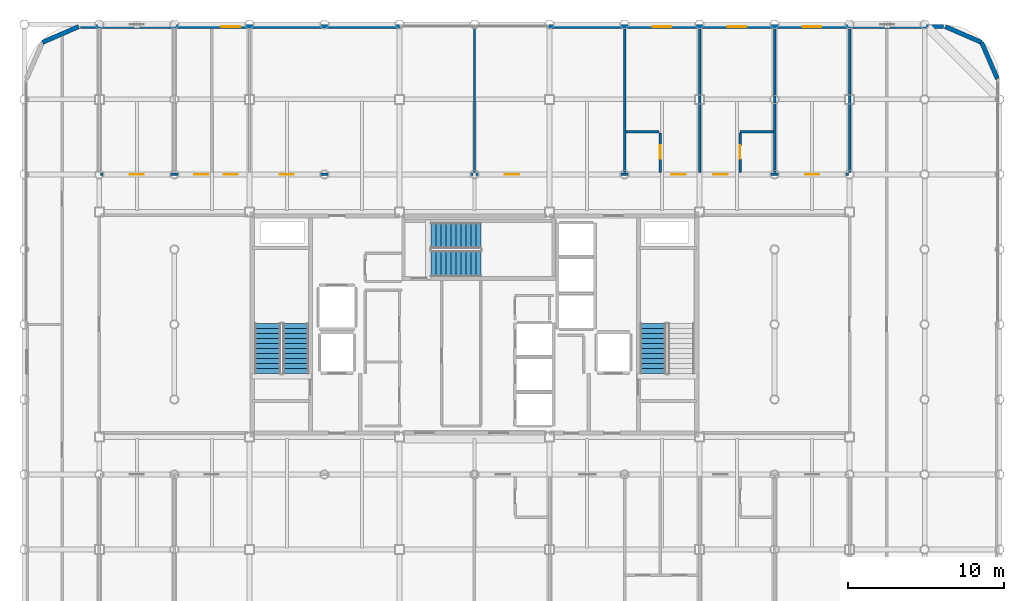
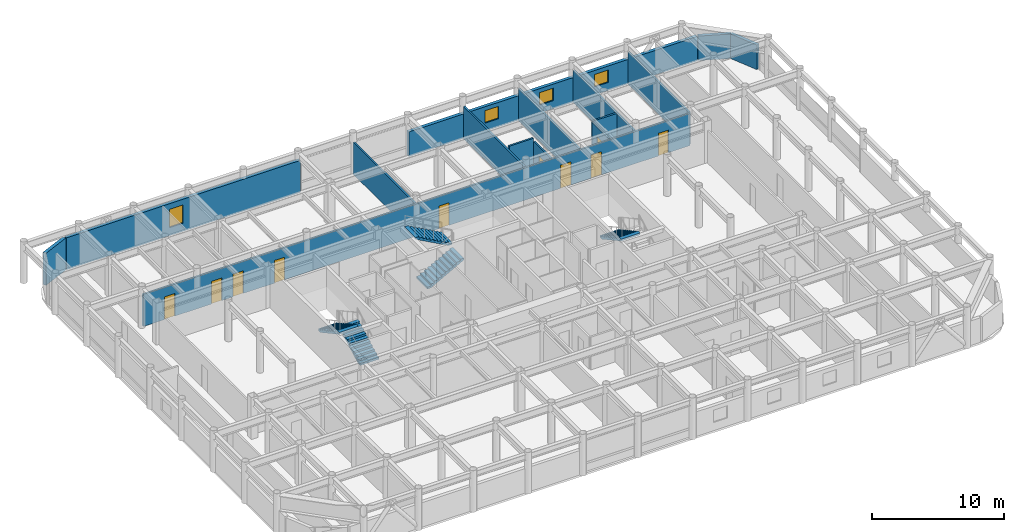
# One storey, part 20 of 22: 15 walls, 10 doors, 5 stair flights, 4 windows, 14 openings, 3 elements without a shape of their own.
"""IFC4 building model written with IfcOpenShell, lengths in metres."""

from ifc_helpers import new_model, si_unit, direction, frame, frame_2d, origin, place, context, subcontext, project, spatial, polyline, rectangle, outline, extrude, material, layer, layer_set, type_object, element, fill, aggregate, save


model = new_model("IFC4")

# Units and contexts
model_context = context("Model", 3, precision=1e-05, world=origin(), true_north=direction((0.0, 1.0)))
body_context = subcontext(model_context, "Body", "Model", "MODEL_VIEW")
ifc_project = project(units=[si_unit("LENGTHUNIT", "METRE"), si_unit("AREAUNIT", "SQUARE_METRE"), si_unit("VOLUMEUNIT", "CUBIC_METRE"), si_unit("PLANEANGLEUNIT", "RADIAN"), si_unit("MASSUNIT", "GRAM", prefix="KILO")], contexts=[model_context])

# Site, building, storey
site_placement = place(None, origin())
site = spatial("IfcSite", under=ifc_project, at=site_placement, CompositionType="ELEMENT")
building_placement = place(site_placement, origin())
building = spatial("IfcBuilding", under=site, at=building_placement, Name="Kallvorn Hotel Tower", CompositionType="ELEMENT")
storey_placement = place(building_placement, frame((0.0, 0.0, 203.050048828125)))
storey = spatial("IfcBuildingStorey", under=building, at=storey_placement, Name="L50", CompositionType="ELEMENT", Elevation=203.050048828125)

# Wall, openings, doors
ifc_material_1 = material(Name="Fire-rated double-layer acoustic gypsum drywall EI 60")
ifc_layer_1 = layer(ifc_material_1, 0.159912109375)
ifc_layer_set_1 = layer_set([ifc_layer_1], Name="WL_DEMISE_160")
wall_type_1 = type_object("IfcWallType", Name="WL_DEMISE_160", PredefinedType="PARTITIONING", material=ifc_layer_set_1)
wall_1_placement = place(storey_placement, frame((-23.919921875, 9.60009765625, 0.0), z_axis=(0.0, 0.0, 1.0), x_axis=(1.0, 0.0, 0.0)))
wall_1 = element("IfcWall", 1, at=wall_1_placement, inside=storey, type_object=wall_type_1, Name="L50 Suite 5004 Standard King Room Partition", PredefinedType="PARTITIONING", context=body_context, shape_type="SweptSolid", body=[
    extrude(rectangle(XDim=47.83984375, YDim=0.159912109375, at=frame_2d((23.919921875, 0.0))), origin(), (0.0, 0.0, 1.0), 2.969970703125),
])
opening_1_placement = place(wall_1_placement, frame((1.8701171875, 0.0, 0.0)))
opening_1 = element("IfcOpeningElement", 2, at=opening_1_placement, cuts=wall_1, Name="Opening SVD1", PredefinedType="OPENING", context=body_context, shape_type="SweptSolid", body=[
    extrude(rectangle(XDim=0.89990234375, YDim=2.10009765625, at=frame_2d((0.449951171875, 1.050048828125))), frame((0.0, 0.094970703125, 0.0), z_axis=(0.0, -1.0, 0.0), x_axis=(1.0, 0.0, 0.0)), (0.0, 0.0, 1.0), 0.18994140625),
])
opening_2_placement = place(wall_1_placement, frame((45.070068359375, 0.0, 0.0)))
opening_2 = element("IfcOpeningElement", 3, at=opening_2_placement, cuts=wall_1, Name="Opening SVD1", PredefinedType="OPENING", context=body_context, shape_type="SweptSolid", body=[
    extrude(rectangle(XDim=0.89990234375, YDim=2.10009765625, at=frame_2d((0.449951171875, 1.050048828125))), frame((0.0, 0.094970703125, 0.0), z_axis=(0.0, -1.0, 0.0), x_axis=(1.0, 0.0, 0.0)), (0.0, 0.0, 1.0), 0.18994140625),
])
opening_3_placement = place(wall_1_placement, frame((5.97998046875, 0.0, 0.0)))
opening_3 = element("IfcOpeningElement", 4, at=opening_3_placement, cuts=wall_1, Name="Opening SVD1", PredefinedType="OPENING", context=body_context, shape_type="SweptSolid", body=[
    extrude(rectangle(XDim=0.89990234375, YDim=2.10009765625, at=frame_2d((0.449951171875, 1.050048828125))), frame((0.0, 0.094970703125, 0.0), z_axis=(0.0, -1.0, 0.0), x_axis=(1.0, 0.0, 0.0)), (0.0, 0.0, 1.0), 0.18994140625),
])
opening_4_placement = place(wall_1_placement, frame((7.8701171875, 0.0, 0.0)))
opening_4 = element("IfcOpeningElement", 5, at=opening_4_placement, cuts=wall_1, Name="Opening SVD1", PredefinedType="OPENING", context=body_context, shape_type="SweptSolid", body=[
    extrude(rectangle(XDim=0.89990234375, YDim=2.10009765625, at=frame_2d((0.449951171875, 1.050048828125))), frame((0.0, 0.094970703125, 0.0), z_axis=(0.0, -1.0, 0.0), x_axis=(1.0, 0.0, 0.0)), (0.0, 0.0, 1.0), 0.18994140625),
])
opening_5_placement = place(wall_1_placement, frame((11.469970703125, 0.0, 0.0)))
opening_5 = element("IfcOpeningElement", 6, at=opening_5_placement, cuts=wall_1, Name="Opening SVD1", PredefinedType="OPENING", context=body_context, shape_type="SweptSolid", body=[
    extrude(rectangle(XDim=0.89990234375, YDim=2.10009765625, at=frame_2d((0.449951171875, 1.050048828125))), frame((0.0, 0.094970703125, 0.0), z_axis=(0.0, -1.0, 0.0), x_axis=(1.0, 0.0, 0.0)), (0.0, 0.0, 1.0), 0.18994140625),
])
opening_6_placement = place(wall_1_placement, frame((25.8701171875, 0.0, 0.0)))
opening_6 = element("IfcOpeningElement", 7, at=opening_6_placement, cuts=wall_1, Name="Opening SVD1", PredefinedType="OPENING", context=body_context, shape_type="SweptSolid", body=[
    extrude(rectangle(XDim=0.89990234375, YDim=2.10009765625, at=frame_2d((0.449951171875, 1.050048828125))), frame((0.0, 0.094970703125, 0.0), z_axis=(0.0, -1.0, 0.0), x_axis=(1.0, 0.0, 0.0)), (0.0, 0.0, 1.0), 0.18994140625),
])
opening_7_placement = place(wall_1_placement, frame((36.52490234375, 0.0, 0.0)))
opening_7 = element("IfcOpeningElement", 8, at=opening_7_placement, cuts=wall_1, Name="Opening GD1", PredefinedType="OPENING", context=body_context, shape_type="SweptSolid", body=[
    extrude(rectangle(XDim=0.919921875, YDim=2.14990234375, at=frame_2d((0.4599609375, 1.074951171875))), frame((0.0, 0.094970703125, 0.0), z_axis=(0.0, -1.0, 0.0), x_axis=(1.0, 0.0, 0.0)), (0.0, 0.0, 1.0), 0.18994140625),
])
opening_8_placement = place(wall_1_placement, frame((39.195068359375, 0.0, 0.0)))
opening_8 = element("IfcOpeningElement", 9, at=opening_8_placement, cuts=wall_1, Name="Opening GD1", PredefinedType="OPENING", context=body_context, shape_type="SweptSolid", body=[
    extrude(rectangle(XDim=0.919921875, YDim=2.14990234375, at=frame_2d((0.4599609375, 1.074951171875))), frame((0.0, 0.094970703125, 0.0), z_axis=(0.0, -1.0, 0.0), x_axis=(1.0, 0.0, 0.0)), (0.0, 0.0, 1.0), 0.18994140625),
])
ifc_material_2 = material(Name="Solid-core walnut veneer fire-rated timber door leaf", Category="wood")
door_type_1 = type_object("IfcDoorType", Name="DR_GUEST_920x2150", OperationType="NOTDEFINED", PredefinedType="DOOR", material=ifc_material_2)
door_1_placement = place(opening_7_placement, origin())
door_1 = element("IfcDoor", 10, at=door_1_placement, inside=storey, type_object=door_type_1, Name="L50 Suite 5004 Standard King Room Door", OperationType="SINGLE_SWING_RIGHT", OverallHeight=2.14990234375, OverallWidth=0.919921875, PredefinedType="DOOR", context=body_context, shape_type="SweptSolid", body=[
    extrude(rectangle(XDim=0.919921875, YDim=2.14990234375, at=frame_2d((0.4599609375, 1.074951171875))), frame((0.0, 0.02490234375, 0.0), z_axis=(0.0, -1.0, 0.0), x_axis=(1.0, 0.0, 0.0)), (0.0, 0.0, 1.0), 0.050048828125),
])
fill(opening_7, door_1)
door_2_placement = place(opening_8_placement, origin())
door_2 = element("IfcDoor", 11, at=door_2_placement, inside=storey, type_object=door_type_1, Name="L50 Suite 5005 Standard King Room Door", OperationType="SINGLE_SWING_RIGHT", OverallHeight=2.14990234375, OverallWidth=0.919921875, PredefinedType="DOOR", context=body_context, shape_type="SweptSolid", body=[
    extrude(rectangle(XDim=0.919921875, YDim=2.14990234375, at=frame_2d((0.4599609375, 1.074951171875))), frame((0.0, 0.02490234375, 0.0), z_axis=(0.0, -1.0, 0.0), x_axis=(1.0, 0.0, 0.0)), (0.0, 0.0, 1.0), 0.050048828125),
])
fill(opening_8, door_2)
ifc_material_3 = material(Name="Galvanised painted steel fire-rated door assembly", Category="steel")
door_type_2 = type_object("IfcDoorType", Name="DR_SERV_900x2100", OperationType="NOTDEFINED", PredefinedType="DOOR", material=ifc_material_3)
door_3_placement = place(opening_1_placement, origin())
door_3 = element("IfcDoor", 12, at=door_3_placement, inside=storey, type_object=door_type_2, Name="L50 L50 High-Zone North-West Reading Salon Door", OperationType="SINGLE_SWING_RIGHT", OverallHeight=2.10009765625, OverallWidth=0.89990234375, PredefinedType="DOOR", context=body_context, shape_type="SweptSolid", body=[
    extrude(rectangle(XDim=0.89990234375, YDim=2.10009765625, at=frame_2d((0.449951171875, 1.050048828125))), frame((0.0, 0.02490234375, 0.0), z_axis=(0.0, -1.0, 0.0), x_axis=(1.0, 0.0, 0.0)), (0.0, 0.0, 1.0), 0.050048828125),
])
fill(opening_1, door_3)
door_4_placement = place(opening_2_placement, origin())
door_4 = element("IfcDoor", 13, at=door_4_placement, inside=storey, type_object=door_type_2, Name="L50 L50 High-Zone North-East Pastry Bar Door", OperationType="SINGLE_SWING_LEFT", OverallHeight=2.10009765625, OverallWidth=0.89990234375, PredefinedType="DOOR", context=body_context, shape_type="SweptSolid", body=[
    extrude(rectangle(XDim=0.89990234375, YDim=2.10009765625, at=frame_2d((0.449951171875, 1.050048828125))), frame((0.0, 0.02490234375, 0.0), z_axis=(0.0, -1.0, 0.0), x_axis=(1.0, 0.0, 0.0)), (0.0, 0.0, 1.0), 0.050048828125),
])
fill(opening_2, door_4)
door_5_placement = place(opening_3_placement, origin())
door_5 = element("IfcDoor", 14, at=door_5_placement, inside=storey, type_object=door_type_2, Name="L50 Housekeeping and Linen Room Door", OperationType="SINGLE_SWING_RIGHT", OverallHeight=2.10009765625, OverallWidth=0.89990234375, PredefinedType="DOOR", context=body_context, shape_type="SweptSolid", body=[
    extrude(rectangle(XDim=0.89990234375, YDim=2.10009765625, at=frame_2d((0.449951171875, 1.050048828125))), frame((0.0, 0.02490234375, 0.0), z_axis=(0.0, -1.0, 0.0), x_axis=(1.0, 0.0, 0.0)), (0.0, 0.0, 1.0), 0.050048828125),
])
fill(opening_3, door_5)
door_6_placement = place(opening_4_placement, origin())
door_6 = element("IfcDoor", 15, at=door_6_placement, inside=storey, type_object=door_type_2, Name="L50 Guest Tea and Refreshment Bar Door", OperationType="SINGLE_SWING_LEFT", OverallHeight=2.10009765625, OverallWidth=0.89990234375, PredefinedType="DOOR", context=body_context, shape_type="SweptSolid", body=[
    extrude(rectangle(XDim=0.89990234375, YDim=2.10009765625, at=frame_2d((0.449951171875, 1.050048828125))), frame((0.0, 0.02490234375, 0.0), z_axis=(0.0, -1.0, 0.0), x_axis=(1.0, 0.0, 0.0)), (0.0, 0.0, 1.0), 0.050048828125),
])
fill(opening_4, door_6)
door_7_placement = place(opening_5_placement, origin())
door_7 = element("IfcDoor", 16, at=door_7_placement, inside=storey, type_object=door_type_2, Name="L50 L50 Andean Tasting Sky Restaurant 2 Door", OperationType="SINGLE_SWING_LEFT", OverallHeight=2.10009765625, OverallWidth=0.89990234375, PredefinedType="DOOR", context=body_context, shape_type="SweptSolid", body=[
    extrude(rectangle(XDim=0.89990234375, YDim=2.10009765625, at=frame_2d((0.449951171875, 1.050048828125))), frame((0.0, 0.02490234375, 0.0), z_axis=(0.0, -1.0, 0.0), x_axis=(1.0, 0.0, 0.0)), (0.0, 0.0, 1.0), 0.050048828125),
])
fill(opening_5, door_7)
door_8_placement = place(opening_6_placement, origin())
door_8 = element("IfcDoor", 17, at=door_8_placement, inside=storey, type_object=door_type_2, Name="L50 L50 Curated Emerald Craft Retail Boutique 3 Door", OperationType="SINGLE_SWING_RIGHT", OverallHeight=2.10009765625, OverallWidth=0.89990234375, PredefinedType="DOOR", context=body_context, shape_type="SweptSolid", body=[
    extrude(rectangle(XDim=0.89990234375, YDim=2.10009765625, at=frame_2d((0.449951171875, 1.050048828125))), frame((0.0, 0.02490234375, 0.0), z_axis=(0.0, -1.0, 0.0), x_axis=(1.0, 0.0, 0.0)), (0.0, 0.0, 1.0), 0.050048828125),
])
fill(opening_6, door_8)

# Walls
wall_2_placement = place(storey_placement, frame((9.679931640625, 12.320068359375, 0.0), z_axis=(0.0, 0.0, 1.0), x_axis=(1.0, 0.0, 0.0)))
element("IfcWall", 18, at=wall_2_placement, inside=storey, type_object=wall_type_1, Name="L50 Suite 5004 Standard King Room Partition", PredefinedType="PARTITIONING", context=body_context, shape_type="SweptSolid", body=[
    extrude(rectangle(XDim=2.130126953125, YDim=0.159912109375, at=frame_2d((1.06494140625, 0.0))), origin(), (0.0, 0.0, 1.0), 3.27001953125),
])
wall_3_placement = place(storey_placement, frame((16.989990234375, 12.320068359375, 0.0), z_axis=(0.0, 0.0, 1.0), x_axis=(1.0, 0.0, 0.0)))
element("IfcWall", 19, at=wall_3_placement, inside=storey, type_object=wall_type_1, Name="L50 Suite 5005 Standard King Room Partition", PredefinedType="PARTITIONING", context=body_context, shape_type="SweptSolid", body=[
    extrude(rectangle(XDim=2.130126953125, YDim=0.159912109375, at=frame_2d((1.06494140625, 0.0))), origin(), (0.0, 0.0, 1.0), 3.02001953125),
])
wall_4_placement = place(storey_placement, frame((9.60009765625, 9.719970703125, 0.0), z_axis=(0.0, 0.0, 1.0), x_axis=(0.0, 1.0, 0.0)))
element("IfcWall", 20, at=wall_4_placement, inside=storey, type_object=wall_type_1, Name="L50 Suite 5004 Standard King Room Partition", PredefinedType="PARTITIONING", context=body_context, shape_type="SweptSolid", body=[
    extrude(rectangle(XDim=9.18994140625, YDim=0.159912109375, at=frame_2d((4.594970703125, 0.0))), origin(), (0.0, 0.0, 1.0), 2.969970703125),
])

# Wall, opening, door
wall_5_placement = place(storey_placement, frame((11.885009765625, 9.719970703125, 0.0), z_axis=(0.0, 0.0, 1.0), x_axis=(0.0, 1.0, 0.0)))
wall_5 = element("IfcWall", 21, at=wall_5_placement, inside=storey, type_object=wall_type_1, Name="L50 Suite 5004 Standard King Room Partition", PredefinedType="PARTITIONING", context=body_context, shape_type="SweptSolid", body=[
    extrude(rectangle(XDim=2.51513671875, YDim=0.159912109375, at=frame_2d((1.257568359375, 0.0))), origin(), (0.0, 0.0, 1.0), 2.969970703125),
])
opening_9_placement = place(wall_5_placement, frame((0.8701171875, 0.0, 0.0)))
opening_9 = element("IfcOpeningElement", 22, at=opening_9_placement, cuts=wall_5, Name="Opening BD-I", PredefinedType="OPENING", context=body_context, shape_type="SweptSolid", body=[
    extrude(rectangle(XDim=0.860107421875, YDim=2.10009765625, at=frame_2d((0.43017578125, 1.050048828125))), frame((0.0, 0.094970703125, 0.0), z_axis=(0.0, -1.0, 0.0), x_axis=(1.0, 0.0, 0.0)), (0.0, 0.0, 1.0), 0.18994140625),
])
ifc_material_4 = material(Name="Solid-core walnut veneer fire-rated timber door leaf", Category="wood")
door_type_3 = type_object("IfcDoorType", Name="DR_BATH_860x2100", OperationType="NOTDEFINED", PredefinedType="DOOR", material=ifc_material_4)
door_9_placement = place(opening_9_placement, origin())
door_9 = element("IfcDoor", 23, at=door_9_placement, inside=storey, type_object=door_type_3, Name="L50 Suite 5004 En-Suite Bathroom Door", OperationType="SINGLE_SWING_RIGHT", OverallHeight=2.10009765625, OverallWidth=0.860107421875, PredefinedType="DOOR", context=body_context, shape_type="SweptSolid", body=[
    extrude(rectangle(XDim=0.860107421875, YDim=2.10009765625, at=frame_2d((0.43017578125, 1.050048828125))), frame((0.0, 0.02490234375, 0.0), z_axis=(0.0, -1.0, 0.0), x_axis=(1.0, 0.0, 0.0)), (0.0, 0.0, 1.0), 0.050048828125),
])
fill(opening_9, door_9)

# Wall
wall_6_placement = place(storey_placement, frame((14.39990234375, 9.719970703125, 0.0), z_axis=(0.0, 0.0, 1.0), x_axis=(0.0, 1.0, 0.0)))
element("IfcWall", 24, at=wall_6_placement, inside=storey, type_object=wall_type_1, Name="L50 Suite 5004 Standard King Room Partition", PredefinedType="PARTITIONING", context=body_context, shape_type="SweptSolid", body=[
    extrude(rectangle(XDim=9.18994140625, YDim=0.159912109375, at=frame_2d((4.594970703125, 0.0))), origin(), (0.0, 0.0, 1.0), 2.969970703125),
])

# Wall, opening, door
wall_7_placement = place(storey_placement, frame((16.989990234375, 9.719970703125, 0.0), z_axis=(0.0, 0.0, 1.0), x_axis=(0.0, 1.0, 0.0)))
wall_7 = element("IfcWall", 25, at=wall_7_placement, inside=storey, type_object=wall_type_1, Name="L50 Suite 5005 Standard King Room Partition", PredefinedType="PARTITIONING", context=body_context, shape_type="SweptSolid", body=[
    extrude(rectangle(XDim=2.51513671875, YDim=0.159912109375, at=frame_2d((1.257568359375, 0.0))), origin(), (0.0, 0.0, 1.0), 2.969970703125),
])
opening_10_placement = place(wall_7_placement, frame((0.8701171875, 0.0, 0.0)))
opening_10 = element("IfcOpeningElement", 26, at=opening_10_placement, cuts=wall_7, Name="Opening BD-I", PredefinedType="OPENING", context=body_context, shape_type="SweptSolid", body=[
    extrude(rectangle(XDim=0.860107421875, YDim=2.10009765625, at=frame_2d((0.43017578125, 1.050048828125))), frame((0.0, 0.094970703125, 0.0), z_axis=(0.0, -1.0, 0.0), x_axis=(1.0, 0.0, 0.0)), (0.0, 0.0, 1.0), 0.18994140625),
])
door_10_placement = place(opening_10_placement, origin())
door_10 = element("IfcDoor", 27, at=door_10_placement, inside=storey, type_object=door_type_3, Name="L50 Suite 5005 En-Suite Bathroom Door", OperationType="SINGLE_SWING_RIGHT", OverallHeight=2.10009765625, OverallWidth=0.860107421875, PredefinedType="DOOR", context=body_context, shape_type="SweptSolid", body=[
    extrude(rectangle(XDim=0.860107421875, YDim=2.10009765625, at=frame_2d((0.43017578125, 1.050048828125))), frame((0.0, 0.02490234375, 0.0), z_axis=(0.0, -1.0, 0.0), x_axis=(1.0, 0.0, 0.0)), (0.0, 0.0, 1.0), 0.050048828125),
])
fill(opening_10, door_10)

# Walls
wall_8_placement = place(storey_placement, frame((19.199951171875, 9.719970703125, 0.0), z_axis=(0.0, 0.0, 1.0), x_axis=(0.0, 1.0, 0.0)))
element("IfcWall", 28, at=wall_8_placement, inside=storey, type_object=wall_type_1, Name="L50 Suite 5005 Standard King Room Partition", PredefinedType="PARTITIONING", context=body_context, shape_type="SweptSolid", body=[
    extrude(rectangle(XDim=9.18994140625, YDim=0.159912109375, at=frame_2d((4.594970703125, 0.0))), origin(), (0.0, 0.0, 1.0), 2.969970703125),
])
ifc_material_5 = material(Name="Precast basalt-clad insulated concrete wall C40/50", Category="masonry")
ifc_layer_2 = layer(ifc_material_5, 0.280029296875)
ifc_layer_set_2 = layer_set([ifc_layer_2], Name="WL_EXT_LOGGIA_280")
wall_type_2 = type_object("IfcWallType", Name="WL_EXT_LOGGIA_280", PredefinedType="SOLIDWALL", material=ifc_layer_set_2)
wall_9_placement = place(storey_placement, frame((33.4580078125, 15.720703125, 0.0), z_axis=(0.0, 0.0, 1.0), x_axis=(-0.398792985289, 0.917040977756, 0.0)))
element("IfcWall", 29, at=wall_9_placement, inside=storey, type_object=wall_type_2, Name="L50 Rounded Corner Exterior Wall NE1", PredefinedType="SOLIDWALL", context=body_context, shape_type="SweptSolid", body=[
    extrude(rectangle(XDim=2.536376953125, YDim=0.280029296875, at=frame_2d((1.26806640625, 0.0))), origin(), (0.0, 0.0, 1.0), 2.27001953125),
])
wall_10_placement = place(storey_placement, frame((32.446533203125, 18.046630859375, 0.0), z_axis=(0.0, 0.0, 1.0), x_axis=(-0.917060872934, 0.398747232384, 0.0)))
element("IfcWall", 30, at=wall_10_placement, inside=storey, type_object=wall_type_2, Name="L50 Rounded Corner Exterior Wall NE2", PredefinedType="SOLIDWALL", context=body_context, shape_type="SweptSolid", body=[
    extrude(rectangle(XDim=2.5361328125, YDim=0.280029296875, at=frame_2d((1.26806640625, 0.0))), origin(), (0.0, 0.0, 1.0), 2.27001953125),
])
wall_11_placement = place(storey_placement, frame((-25.32080078125, 19.057861328125, 0.0), z_axis=(0.0, 0.0, 1.0), x_axis=(-0.917060872934, -0.398747232384, 0.0)))
element("IfcWall", 31, at=wall_11_placement, inside=storey, type_object=wall_type_2, Name="L50 Rounded Corner Exterior Wall NW1", PredefinedType="SOLIDWALL", context=body_context, shape_type="SweptSolid", body=[
    extrude(rectangle(XDim=2.5361328125, YDim=0.280029296875, at=frame_2d((1.26806640625, 0.0))), origin(), (0.0, 0.0, 1.0), 2.969970703125),
])

# Wall, opening, window
wall_12_placement = place(storey_placement, frame((-25.199951171875, 19.06005859375, 0.0), z_axis=(0.0, 0.0, 1.0), x_axis=(1.0, 0.0, 0.0)))
wall_12 = element("IfcWall", 32, at=wall_12_placement, inside=storey, type_object=wall_type_2, Name="L50 Exterior Envelope Wall EW-L50-NW", PredefinedType="SOLIDWALL", context=body_context, shape_type="SweptSolid", body=[
    extrude(rectangle(XDim=20.449951171875, YDim=0.280029296875, at=frame_2d((10.22509765625, 0.0))), origin(), (0.0, 0.0, 1.0), 2.969970703125),
])
opening_11_placement = place(wall_12_placement, frame((9.0, 0.0, 0.75)))
opening_11 = element("IfcOpeningElement", 33, at=opening_11_placement, cuts=wall_12, Name="Opening W06", PredefinedType="OPENING", context=body_context, shape_type="SweptSolid", body=[
    extrude(rectangle(XDim=1.199951171875, YDim=1.699951171875, at=frame_2d((0.60009765625, 0.85009765625))), frame((0.0, 0.155029296875, 0.0), z_axis=(0.0, -1.0, 0.0), x_axis=(1.0, 0.0, 0.0)), (0.0, 0.0, 1.0), 0.31005859375),
])
ifc_material_6 = material(Name="Triple-glazed low-e acoustic solar-control dark glass", Category="glass")
window_type_1 = type_object("IfcWindowType", Name="WN_HTL_1200x1700", PartitioningType="SINGLE_PANEL", PredefinedType="WINDOW", material=ifc_material_6)
window_1_placement = place(opening_11_placement, origin())
window_1 = element("IfcWindow", 34, at=window_1_placement, inside=storey, type_object=window_type_1, Name="L50 Guestroom Exterior Window 07", OverallHeight=1.699951171875, OverallWidth=1.199951171875, PartitioningType="SINGLE_PANEL", PredefinedType="WINDOW", context=body_context, shape_type="SweptSolid", body=[
    extrude(rectangle(XDim=1.199951171875, YDim=1.699951171875, at=frame_2d((0.60009765625, 0.85009765625))), frame((0.0, 0.030029296875, 0.0), z_axis=(0.0, -1.0, 0.0), x_axis=(1.0, 0.0, 0.0)), (0.0, 0.0, 1.0), 0.06005859375),
])
fill(opening_11, window_1)

# Wall, openings, windows
wall_13_placement = place(storey_placement, frame((4.75, 19.06005859375, 0.0), z_axis=(0.0, 0.0, 1.0), x_axis=(1.0, 0.0, 0.0)))
wall_13 = element("IfcWall", 35, at=wall_13_placement, inside=storey, type_object=wall_type_2, Name="L50 Exterior Envelope Wall EW-L50-NE", PredefinedType="SOLIDWALL", context=body_context, shape_type="SweptSolid", body=[
    extrude(rectangle(XDim=25.25, YDim=0.280029296875, at=frame_2d((12.625, 0.0))), origin(), (0.0, 0.0, 1.0), 2.27001953125),
])
opening_12_placement = place(wall_13_placement, frame((16.25, 0.0, 0.75)))
opening_12 = element("IfcOpeningElement", 36, at=opening_12_placement, cuts=wall_13, Name="Opening W06A", PredefinedType="OPENING", context=body_context, shape_type="SweptSolid", body=[
    extrude(rectangle(XDim=1.199951171875, YDim=1.14990234375, at=frame_2d((0.60009765625, 0.574951171875))), frame((0.0, 0.155029296875, 0.0), z_axis=(0.0, -1.0, 0.0), x_axis=(1.0, 0.0, 0.0)), (0.0, 0.0, 1.0), 0.31005859375),
])
opening_13_placement = place(wall_13_placement, frame((6.64990234375, 0.0, 0.75)))
opening_13 = element("IfcOpeningElement", 37, at=opening_13_placement, cuts=wall_13, Name="Opening W06A", PredefinedType="OPENING", context=body_context, shape_type="SweptSolid", body=[
    extrude(rectangle(XDim=1.199951171875, YDim=1.14990234375, at=frame_2d((0.60009765625, 0.574951171875))), frame((0.0, 0.155029296875, 0.0), z_axis=(0.0, -1.0, 0.0), x_axis=(1.0, 0.0, 0.0)), (0.0, 0.0, 1.0), 0.31005859375),
])
opening_14_placement = place(wall_13_placement, frame((11.449951171875, 0.0, 0.75)))
opening_14 = element("IfcOpeningElement", 38, at=opening_14_placement, cuts=wall_13, Name="Opening W06A", PredefinedType="OPENING", context=body_context, shape_type="SweptSolid", body=[
    extrude(rectangle(XDim=1.199951171875, YDim=1.14990234375, at=frame_2d((0.60009765625, 0.574951171875))), frame((0.0, 0.155029296875, 0.0), z_axis=(0.0, -1.0, 0.0), x_axis=(1.0, 0.0, 0.0)), (0.0, 0.0, 1.0), 0.31005859375),
])
ifc_material_7 = material(Name="Triple-glazed low-e acoustic solar-control dark glass", Category="glass")
window_type_2 = type_object("IfcWindowType", Name="WN_HTL_1200x1150", PartitioningType="SINGLE_PANEL", PredefinedType="WINDOW", material=ifc_material_7)
window_2_placement = place(opening_12_placement, origin())
window_2 = element("IfcWindow", 39, at=window_2_placement, inside=storey, type_object=window_type_2, Name="L50 Guestroom Exterior Window 02", OverallHeight=1.14990234375, OverallWidth=1.199951171875, PartitioningType="SINGLE_PANEL", PredefinedType="WINDOW", context=body_context, shape_type="SweptSolid", body=[
    extrude(rectangle(XDim=1.199951171875, YDim=1.14990234375, at=frame_2d((0.60009765625, 0.574951171875))), frame((0.0, 0.030029296875, 0.0), z_axis=(0.0, -1.0, 0.0), x_axis=(1.0, 0.0, 0.0)), (0.0, 0.0, 1.0), 0.06005859375),
])
fill(opening_12, window_2)
window_3_placement = place(opening_13_placement, origin())
window_3 = element("IfcWindow", 40, at=window_3_placement, inside=storey, type_object=window_type_2, Name="L50 Guestroom Exterior Window 08", OverallHeight=1.14990234375, OverallWidth=1.199951171875, PartitioningType="SINGLE_PANEL", PredefinedType="WINDOW", context=body_context, shape_type="SweptSolid", body=[
    extrude(rectangle(XDim=1.199951171875, YDim=1.14990234375, at=frame_2d((0.60009765625, 0.574951171875))), frame((0.0, 0.030029296875, 0.0), z_axis=(0.0, -1.0, 0.0), x_axis=(1.0, 0.0, 0.0)), (0.0, 0.0, 1.0), 0.06005859375),
])
fill(opening_13, window_3)
window_4_placement = place(opening_14_placement, origin())
window_4 = element("IfcWindow", 41, at=window_4_placement, inside=storey, type_object=window_type_2, Name="L50 Guestroom Exterior Window 09", OverallHeight=1.14990234375, OverallWidth=1.199951171875, PartitioningType="SINGLE_PANEL", PredefinedType="WINDOW", context=body_context, shape_type="SweptSolid", body=[
    extrude(rectangle(XDim=1.199951171875, YDim=1.14990234375, at=frame_2d((0.60009765625, 0.574951171875))), frame((0.0, 0.030029296875, 0.0), z_axis=(0.0, -1.0, 0.0), x_axis=(1.0, 0.0, 0.0)), (0.0, 0.0, 1.0), 0.06005859375),
])
fill(opening_14, window_4)

# Walls
ifc_material_8 = material(Name="Fire-rated double-layer acoustic gypsum drywall EI 60")
ifc_layer_3 = layer(ifc_material_8, 0.14990234375)
ifc_layer_set_3 = layer_set([ifc_layer_3], Name="WL_PART_150")
wall_type_3 = type_object("IfcWallType", Name="WL_PART_150", PredefinedType="PARTITIONING", material=ifc_layer_set_3)
wall_14_placement = place(storey_placement, frame((0.0, 9.719970703125, 0.0), z_axis=(0.0, 0.0, 1.0), x_axis=(0.0, 1.0, 0.0)))
element("IfcWall", 42, at=wall_14_placement, inside=storey, type_object=wall_type_3, Name="L50 L50 Andean Tasting Sky Restaurant 2 Partition", PredefinedType="PARTITIONING", context=body_context, shape_type="SweptSolid", body=[
    extrude(rectangle(XDim=9.275146484375, YDim=0.14990234375, at=frame_2d((4.6376953125, 0.0))), origin(), (0.0, 0.0, 1.0), 2.969970703125),
])
wall_15_placement = place(storey_placement, frame((24.0, 9.719970703125, 0.0), z_axis=(0.0, 0.0, 1.0), x_axis=(0.0, 1.0, 0.0)))
element("IfcWall", 43, at=wall_15_placement, inside=storey, type_object=wall_type_3, Name="L50 L50 High-Zone North-East Pastry Bar Partition", PredefinedType="PARTITIONING", context=body_context, shape_type="SweptSolid", body=[
    extrude(rectangle(XDim=9.18994140625, YDim=0.14990234375, at=frame_2d((4.594970703125, 0.0))), origin(), (0.0, 0.0, 1.0), 2.969970703125),
])

# Stair, stair flights
ifc_material_9 = material(Name="Precast concrete C40/50", Category="concrete")
stair_type = type_object("IfcStairType", Name="STR_CORE_DOGLEG", PredefinedType="HALF_TURN_STAIR", material=ifc_material_9)
stair_1_placement = place(storey_placement, origin())
stair_1 = element("IfcStair", 44, at=stair_1_placement, inside=storey, type_object=stair_type, Name="L50 Exit stair ST1", PredefinedType="HALF_TURN_STAIR")
ifc_material_10 = material(Name="Precast concrete C40/50", Category="concrete")
stair_flight_type = type_object("IfcStairFlightType", Name="FLT_CORE_1660", PredefinedType="STRAIGHT", material=ifc_material_10)
stair_flight_1_placement = place(storey_placement, frame((-11.429931640625, -3.139892578125, 0.0), z_axis=(0.0, 0.0, 1.0), x_axis=(0.0, 1.0, 0.0)))
stair_flight_1 = element("IfcStairFlight", 45, at=stair_flight_1_placement, type_object=stair_flight_type, Name="ST1 flight 1", NumberOfRisers=11, NumberOfTreads=10, PredefinedType="STRAIGHT", RiserHeight=0.175, TreadLength=0.32, context=body_context, shape_type="SweptSolid", body=[
    extrude(outline(polyline([(0.0, 0.0), (0.0, 0.175048828125), (0.320068359375, 0.175048828125), (0.320068359375, 0.35009765625), (0.639892578125, 0.35009765625), (0.639892578125, 0.52490234375), (0.9599609375, 0.52490234375), (0.9599609375, 0.699951171875), (1.280029296875, 0.699951171875), (1.280029296875, 0.875), (1.60009765625, 0.875), (1.60009765625, 1.050048828125), (1.919921875, 1.050048828125), (1.919921875, 1.22509765625), (2.239990234375, 1.22509765625), (2.239990234375, 1.39990234375), (2.56005859375, 1.39990234375), (2.56005859375, 1.574951171875), (2.8798828125, 1.574951171875), (2.8798828125, 1.75), (3.199951171875, 1.75), (3.199951171875, 1.925048828125), (3.199951171875, 1.5791015625), (0.3125, 0.0), (0.0, 0.0)])), frame((0.0, 0.830078125, 0.0), z_axis=(0.0, -1.0, 0.0), x_axis=(1.0, 0.0, 0.0)), (0.0, 0.0, 1.0), 1.659912109375),
])
stair_flight_2_placement = place(storey_placement, frame((-13.22998046875, 0.06005859375, 1.925048828125), z_axis=(0.0, 0.0, 1.0), x_axis=(0.0, -1.0, 0.0)))
stair_flight_2 = element("IfcStairFlight", 46, at=stair_flight_2_placement, type_object=stair_flight_type, Name="ST1 flight 2", NumberOfRisers=11, NumberOfTreads=10, PredefinedType="STRAIGHT", RiserHeight=0.175, TreadLength=0.32, context=body_context, shape_type="SweptSolid", body=[
    extrude(outline(polyline([(0.0, 0.0), (0.0, 0.175048828125), (0.320068359375, 0.175048828125), (0.320068359375, 0.35009765625), (0.639892578125, 0.35009765625), (0.639892578125, 0.52490234375), (0.9599609375, 0.52490234375), (0.9599609375, 0.699951171875), (1.280029296875, 0.699951171875), (1.280029296875, 0.875), (1.60009765625, 0.875), (1.60009765625, 1.050048828125), (1.919921875, 1.050048828125), (1.919921875, 1.22509765625), (2.239990234375, 1.22509765625), (2.239990234375, 1.39990234375), (2.56005859375, 1.39990234375), (2.56005859375, 1.574951171875), (2.8798828125, 1.574951171875), (2.8798828125, 1.75), (3.199951171875, 1.75), (3.199951171875, 1.925048828125), (3.199951171875, 1.5791015625), (0.3125, 0.0), (0.0, 0.0)])), frame((0.0, 0.830078125, 0.0), z_axis=(0.0, -1.0, 0.0), x_axis=(1.0, 0.0, 0.0)), (0.0, 0.0, 1.0), 1.659912109375),
])
aggregate(stair_1, [stair_flight_1, stair_flight_2])

# Stair, stair flight
stair_2_placement = place(storey_placement, origin())
stair_2 = element("IfcStair", 47, at=stair_2_placement, inside=storey, type_object=stair_type, Name="L50 Exit stair ST2", PredefinedType="HALF_TURN_STAIR")
stair_flight_3_placement = place(storey_placement, frame((11.429931640625, 0.06005859375, 1.925048828125), z_axis=(0.0, 0.0, 1.0), x_axis=(0.0, -1.0, 0.0)))
stair_flight_3 = element("IfcStairFlight", 48, at=stair_flight_3_placement, type_object=stair_flight_type, Name="ST2 flight 2", NumberOfRisers=11, NumberOfTreads=10, PredefinedType="STRAIGHT", RiserHeight=0.175, TreadLength=0.32, context=body_context, shape_type="SweptSolid", body=[
    extrude(outline(polyline([(0.0, 0.0), (0.0, 0.175048828125), (0.320068359375, 0.175048828125), (0.320068359375, 0.35009765625), (0.639892578125, 0.35009765625), (0.639892578125, 0.52490234375), (0.9599609375, 0.52490234375), (0.9599609375, 0.699951171875), (1.280029296875, 0.699951171875), (1.280029296875, 0.875), (1.60009765625, 0.875), (1.60009765625, 1.050048828125), (1.919921875, 1.050048828125), (1.919921875, 1.22509765625), (2.239990234375, 1.22509765625), (2.239990234375, 1.39990234375), (2.56005859375, 1.39990234375), (2.56005859375, 1.574951171875), (2.8798828125, 1.574951171875), (2.8798828125, 1.75), (3.199951171875, 1.75), (3.199951171875, 1.925048828125), (3.199951171875, 1.5791015625), (0.3125, 0.0), (0.0, 0.0)])), frame((0.0, 0.830078125, 0.0), z_axis=(0.0, -1.0, 0.0), x_axis=(1.0, 0.0, 0.0)), (0.0, 0.0, 1.0), 1.659912109375),
])
aggregate(stair_2, [stair_flight_3])

# Stair, stair flights
stair_3_placement = place(storey_placement, origin())
stair_3 = element("IfcStair", 49, at=stair_3_placement, inside=storey, type_object=stair_type, Name="L50 Exit stair ST3", PredefinedType="HALF_TURN_STAIR")
stair_flight_4_placement = place(storey_placement, frame((-2.7900390625, 3.8798828125, 0.0), z_axis=(0.0, 0.0, 1.0), x_axis=(1.0, 0.0, 0.0)))
stair_flight_4 = element("IfcStairFlight", 50, at=stair_flight_4_placement, type_object=stair_flight_type, Name="ST3 flight 1", NumberOfRisers=11, NumberOfTreads=10, PredefinedType="STRAIGHT", RiserHeight=0.175, TreadLength=0.32, context=body_context, shape_type="SweptSolid", body=[
    extrude(outline(polyline([(0.0, 0.0), (0.0, 0.175048828125), (0.320068359375, 0.175048828125), (0.320068359375, 0.35009765625), (0.639892578125, 0.35009765625), (0.639892578125, 0.52490234375), (0.9599609375, 0.52490234375), (0.9599609375, 0.699951171875), (1.280029296875, 0.699951171875), (1.280029296875, 0.875), (1.60009765625, 0.875), (1.60009765625, 1.050048828125), (1.919921875, 1.050048828125), (1.919921875, 1.22509765625), (2.239990234375, 1.22509765625), (2.239990234375, 1.39990234375), (2.56005859375, 1.39990234375), (2.56005859375, 1.574951171875), (2.8798828125, 1.574951171875), (2.8798828125, 1.75), (3.199951171875, 1.75), (3.199951171875, 1.925048828125), (3.199951171875, 1.5791015625), (0.3125, 0.0), (0.0, 0.0)])), frame((0.0, 0.830078125, 0.0), z_axis=(0.0, -1.0, 0.0), x_axis=(1.0, 0.0, 0.0)), (0.0, 0.0, 1.0), 1.659912109375),
])
stair_flight_5_placement = place(storey_placement, frame((0.409912109375, 5.679931640625, 1.925048828125), z_axis=(0.0, 0.0, 1.0), x_axis=(-1.0, 0.0, 0.0)))
stair_flight_5 = element("IfcStairFlight", 51, at=stair_flight_5_placement, type_object=stair_flight_type, Name="ST3 flight 2", NumberOfRisers=11, NumberOfTreads=10, PredefinedType="STRAIGHT", RiserHeight=0.175, TreadLength=0.32, context=body_context, shape_type="SweptSolid", body=[
    extrude(outline(polyline([(0.0, 0.0), (0.0, 0.175048828125), (0.320068359375, 0.175048828125), (0.320068359375, 0.35009765625), (0.639892578125, 0.35009765625), (0.639892578125, 0.52490234375), (0.9599609375, 0.52490234375), (0.9599609375, 0.699951171875), (1.280029296875, 0.699951171875), (1.280029296875, 0.875), (1.60009765625, 0.875), (1.60009765625, 1.050048828125), (1.919921875, 1.050048828125), (1.919921875, 1.22509765625), (2.239990234375, 1.22509765625), (2.239990234375, 1.39990234375), (2.56005859375, 1.39990234375), (2.56005859375, 1.574951171875), (2.8798828125, 1.574951171875), (2.8798828125, 1.75), (3.199951171875, 1.75), (3.199951171875, 1.925048828125), (3.199951171875, 1.5791015625), (0.3125, 0.0), (0.0, 0.0)])), frame((0.0, 0.830078125, 0.0), z_axis=(0.0, -1.0, 0.0), x_axis=(1.0, 0.0, 0.0)), (0.0, 0.0, 1.0), 1.659912109375),
])
aggregate(stair_3, [stair_flight_4, stair_flight_5])

save(model, "model.ifc")
